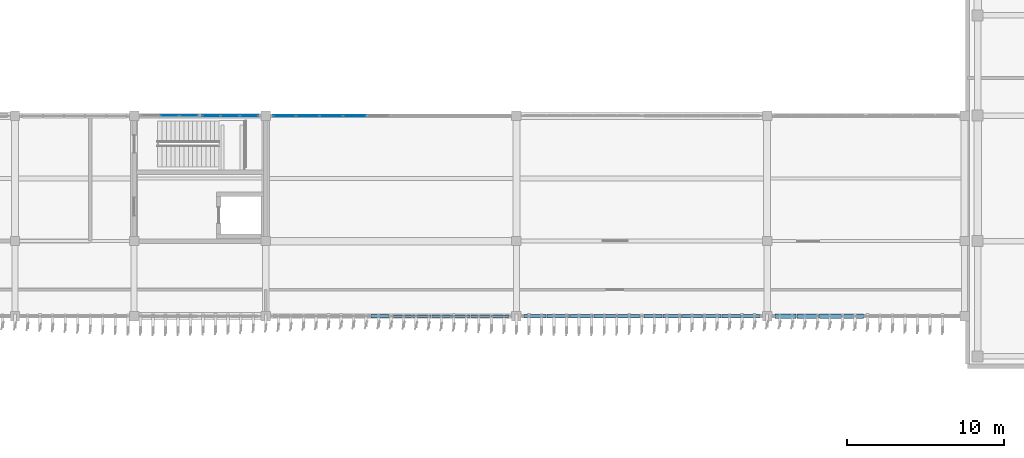
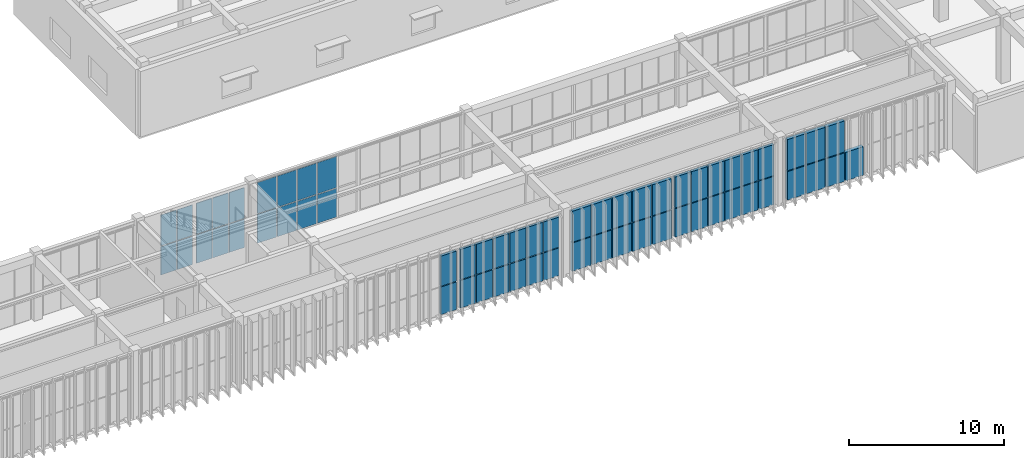
# One storey, part 31 of 64: 61 plates, 8 elements without a shape of their own.
"""IFC4 building model written with IfcOpenShell, lengths in metres."""

from ifc_helpers import new_model, si_unit, direction, frame, origin, origin_2d, place, context, subcontext, project, spatial, rectangle, extrude, material, layer, layer_set, type_object, element, aggregate, save


model = new_model("IFC4")

# Units and contexts
model_context = context("Model", 3, precision=1e-05, world=origin(), true_north=direction((0.0, 1.0)))
body_context = subcontext(model_context, "Body", "Model", "MODEL_VIEW")
ifc_project = project(units=[si_unit("LENGTHUNIT", "METRE"), si_unit("AREAUNIT", "SQUARE_METRE"), si_unit("VOLUMEUNIT", "CUBIC_METRE"), si_unit("PLANEANGLEUNIT", "RADIAN"), si_unit("MASSUNIT", "GRAM", prefix="KILO")], contexts=[model_context])

# Site, building, storey
site_placement = place(None, origin())
site = spatial("IfcSite", under=ifc_project, at=site_placement, CompositionType="ELEMENT")
building_placement = place(site_placement, origin())
building = spatial("IfcBuilding", under=site, at=building_placement, Name="Cinchona Park Media Centre", CompositionType="ELEMENT")
storey_placement = place(building_placement, frame((0.0, 0.0, 10.199951171875)))
storey = spatial("IfcBuildingStorey", under=building, at=storey_placement, Name="L02", CompositionType="ELEMENT", Elevation=10.199951171875)

# Curtain wall, plates
ifc_material_1 = material(Name="Aluminium Curtain Wall Framing", Category="aluminium")
ifc_layer_1 = layer(ifc_material_1, 0.239990234375)
ifc_layer_set_1 = layer_set([ifc_layer_1], Name="Aluminium Curtain Wall Framing")
curtain_wall_type_1 = type_object("IfcCurtainWallType", Name="CW-CW05", PredefinedType="USERDEFINED", material=ifc_layer_set_1)
curtain_wall_1_placement = place(storey_placement, origin())
curtain_wall_1 = element("IfcCurtainWall", 1, at=curtain_wall_1_placement, inside=storey, type_object=curtain_wall_type_1, Name="Curtain Wall CW05 L02", ObjectType="UNITISED CURTAIN WALL", PredefinedType="USERDEFINED")
ifc_material_2 = material(Name="Laminated Solar-Control Double Glazing", Category="glass")
ifc_layer_2 = layer(ifc_material_2, 0.030029296875)
ifc_layer_set_2 = layer_set([ifc_layer_2], Name="Laminated Solar-Control Double Glazing")
plate_type_1 = type_object("IfcPlateType", Name="CWPANEL-PNL02", PredefinedType="CURTAIN_PANEL", material=ifc_layer_set_2)
plate_1_placement = place(storey_placement, frame((88.669921875, 87.60009765625, 0.1201171875), z_axis=(0.0, 0.0, 1.0), x_axis=(1.0, 0.0, 0.0)))
plate_1 = element("IfcPlate", 2, at=plate_1_placement, type_object=plate_type_1, Name="CW05 panel 2.1", PredefinedType="CURTAIN_PANEL", context=body_context, shape_type="SweptSolid", body=[
    extrude(rectangle(XDim=1.163330078125, YDim=0.030029296875, at=origin_2d()), origin(), (0.0, 0.0, 1.0), 2.22705078125),
])
plate_2_placement = place(storey_placement, frame((88.669921875, 87.60009765625, 2.4169921875), z_axis=(0.0, 0.0, 1.0), x_axis=(1.0, 0.0, 0.0)))
plate_2 = element("IfcPlate", 3, at=plate_2_placement, type_object=plate_type_1, Name="CW05 panel 2.2", PredefinedType="CURTAIN_PANEL", context=body_context, shape_type="SweptSolid", body=[
    extrude(rectangle(XDim=1.163330078125, YDim=0.030029296875, at=origin_2d()), origin(), (0.0, 0.0, 1.0), 2.4208984375),
])
plate_3_placement = place(storey_placement, frame((89.8857421875, 87.60009765625, 0.1201171875), z_axis=(0.0, 0.0, 1.0), x_axis=(1.0, 0.0, 0.0)))
plate_3 = element("IfcPlate", 4, at=plate_3_placement, type_object=plate_type_1, Name="CW05 panel 3.1", PredefinedType="CURTAIN_PANEL", context=body_context, shape_type="SweptSolid", body=[
    extrude(rectangle(XDim=1.12841796875, YDim=0.030029296875, at=origin_2d()), origin(), (0.0, 0.0, 1.0), 2.22705078125),
])
plate_4_placement = place(storey_placement, frame((89.8857421875, 87.60009765625, 2.4169921875), z_axis=(0.0, 0.0, 1.0), x_axis=(1.0, 0.0, 0.0)))
plate_4 = element("IfcPlate", 5, at=plate_4_placement, type_object=plate_type_1, Name="CW05 panel 3.2", PredefinedType="CURTAIN_PANEL", context=body_context, shape_type="SweptSolid", body=[
    extrude(rectangle(XDim=1.12841796875, YDim=0.030029296875, at=origin_2d()), origin(), (0.0, 0.0, 1.0), 2.4208984375),
])
aggregate(curtain_wall_1, [plate_1, plate_2, plate_3, plate_4])

ifc_material_3 = material(Name="Aluminium Curtain Wall Framing", Category="aluminium")
ifc_layer_3 = layer(ifc_material_3, 0.2548828125)
ifc_layer_set_3 = layer_set([ifc_layer_3], Name="Aluminium Curtain Wall Framing")
curtain_wall_type_2 = type_object("IfcCurtainWallType", Name="CW-CW06", PredefinedType="USERDEFINED", material=ifc_layer_set_3)
curtain_wall_2_placement = place(storey_placement, origin())
curtain_wall_2 = element("IfcCurtainWall", 6, at=curtain_wall_2_placement, inside=storey, type_object=curtain_wall_type_2, Name="Curtain Wall CW06 L02", ObjectType="UNITISED CURTAIN WALL", PredefinedType="USERDEFINED")
ifc_material_4 = material(Name="Laminated Solar-Control Double Glazing", Category="glass")
ifc_layer_4 = layer(ifc_material_4, 0.050048828125)
ifc_layer_set_4 = layer_set([ifc_layer_4], Name="Laminated Solar-Control Double Glazing")
plate_type_2 = type_object("IfcPlateType", Name="CWPANEL-PNL04", PredefinedType="CURTAIN_PANEL", material=ifc_layer_set_4)
plate_5_placement = place(storey_placement, frame((91.314208984375, 87.60009765625, 0.1201171875), z_axis=(0.0, 0.0, 1.0), x_axis=(1.0, 0.0, 0.0)))
plate_5 = element("IfcPlate", 7, at=plate_5_placement, type_object=plate_type_2, Name="CW06 panel 1.1", PredefinedType="CURTAIN_PANEL", context=body_context, shape_type="SweptSolid", body=[
    extrude(rectangle(XDim=1.12841796875, YDim=0.050048828125, at=origin_2d()), origin(), (0.0, 0.0, 1.0), 2.22705078125),
])
plate_6_placement = place(storey_placement, frame((91.314208984375, 87.60009765625, 2.4169921875), z_axis=(0.0, 0.0, 1.0), x_axis=(1.0, 0.0, 0.0)))
plate_6 = element("IfcPlate", 8, at=plate_6_placement, type_object=plate_type_2, Name="CW06 panel 1.2", PredefinedType="CURTAIN_PANEL", context=body_context, shape_type="SweptSolid", body=[
    extrude(rectangle(XDim=1.12841796875, YDim=0.050048828125, at=origin_2d()), origin(), (0.0, 0.0, 1.0), 2.4208984375),
])
plate_7_placement = place(storey_placement, frame((92.530029296875, 87.60009765625, 0.1201171875), z_axis=(0.0, 0.0, 1.0), x_axis=(1.0, 0.0, 0.0)))
plate_7 = element("IfcPlate", 9, at=plate_7_placement, type_object=plate_type_2, Name="CW06 panel 2.1", PredefinedType="CURTAIN_PANEL", context=body_context, shape_type="SweptSolid", body=[
    extrude(rectangle(XDim=1.163330078125, YDim=0.050048828125, at=origin_2d()), origin(), (0.0, 0.0, 1.0), 2.22705078125),
])
plate_8_placement = place(storey_placement, frame((92.530029296875, 87.60009765625, 2.4169921875), z_axis=(0.0, 0.0, 1.0), x_axis=(1.0, 0.0, 0.0)))
plate_8 = element("IfcPlate", 10, at=plate_8_placement, type_object=plate_type_2, Name="CW06 panel 2.2", PredefinedType="CURTAIN_PANEL", context=body_context, shape_type="SweptSolid", body=[
    extrude(rectangle(XDim=1.163330078125, YDim=0.050048828125, at=origin_2d()), origin(), (0.0, 0.0, 1.0), 2.4208984375),
])
plate_9_placement = place(storey_placement, frame((93.745849609375, 87.60009765625, 0.1201171875), z_axis=(0.0, 0.0, 1.0), x_axis=(1.0, 0.0, 0.0)))
plate_9 = element("IfcPlate", 11, at=plate_9_placement, type_object=plate_type_2, Name="CW06 panel 3.1", PredefinedType="CURTAIN_PANEL", context=body_context, shape_type="SweptSolid", body=[
    extrude(rectangle(XDim=1.12841796875, YDim=0.050048828125, at=origin_2d()), origin(), (0.0, 0.0, 1.0), 2.22705078125),
])
plate_10_placement = place(storey_placement, frame((93.745849609375, 87.60009765625, 2.4169921875), z_axis=(0.0, 0.0, 1.0), x_axis=(1.0, 0.0, 0.0)))
plate_10 = element("IfcPlate", 12, at=plate_10_placement, type_object=plate_type_2, Name="CW06 panel 3.2", PredefinedType="CURTAIN_PANEL", context=body_context, shape_type="SweptSolid", body=[
    extrude(rectangle(XDim=1.12841796875, YDim=0.050048828125, at=origin_2d()), origin(), (0.0, 0.0, 1.0), 2.4208984375),
])
aggregate(curtain_wall_2, [plate_5, plate_6, plate_7, plate_8, plate_9, plate_10])

ifc_material_5 = material(Name="Aluminium Curtain Wall Framing", Category="aluminium")
ifc_layer_5 = layer(ifc_material_5, 0.27001953125)
ifc_layer_set_5 = layer_set([ifc_layer_5], Name="Aluminium Curtain Wall Framing")
curtain_wall_type_3 = type_object("IfcCurtainWallType", Name="CW-CW07", PredefinedType="USERDEFINED", material=ifc_layer_set_5)
curtain_wall_3_placement = place(storey_placement, origin())
curtain_wall_3 = element("IfcCurtainWall", 13, at=curtain_wall_3_placement, inside=storey, type_object=curtain_wall_type_3, Name="Curtain Wall CW07 L02", ObjectType="UNITISED CURTAIN WALL", PredefinedType="USERDEFINED")
ifc_material_6 = material(Name="Laminated Solar-Control Double Glazing", Category="glass")
ifc_layer_6 = layer(ifc_material_6, 0.06005859375)
ifc_layer_set_6 = layer_set([ifc_layer_6], Name="Laminated Solar-Control Double Glazing")
plate_type_3 = type_object("IfcPlateType", Name="CWPANEL-PNL05", PredefinedType="CURTAIN_PANEL", material=ifc_layer_set_6)
plate_11_placement = place(storey_placement, frame((95.986328125, 87.60009765625, 0.115234375), z_axis=(0.0, 0.0, 1.0), x_axis=(1.0, 0.0, 0.0)))
plate_11 = element("IfcPlate", 14, at=plate_11_placement, type_object=plate_type_3, Name="CW07 panel 1.1", PredefinedType="CURTAIN_PANEL", context=body_context, shape_type="SweptSolid", body=[
    extrude(rectangle(XDim=1.402587890625, YDim=0.06005859375, at=origin_2d()), origin(), (0.0, 0.0, 1.0), 2.257568359375),
])
plate_12_placement = place(storey_placement, frame((95.986328125, 87.60009765625, 2.4375), z_axis=(0.0, 0.0, 1.0), x_axis=(1.0, 0.0, 0.0)))
plate_12 = element("IfcPlate", 15, at=plate_12_placement, type_object=plate_type_3, Name="CW07 panel 1.2", PredefinedType="CURTAIN_PANEL", context=body_context, shape_type="SweptSolid", body=[
    extrude(rectangle(XDim=1.402587890625, YDim=0.06005859375, at=origin_2d()), origin(), (0.0, 0.0, 1.0), 2.45458984375),
])
plate_13_placement = place(storey_placement, frame((97.469970703125, 87.60009765625, 0.115234375), z_axis=(0.0, 0.0, 1.0), x_axis=(1.0, 0.0, 0.0)))
plate_13 = element("IfcPlate", 16, at=plate_13_placement, type_object=plate_type_3, Name="CW07 panel 2.1", PredefinedType="CURTAIN_PANEL", context=body_context, shape_type="SweptSolid", body=[
    extrude(rectangle(XDim=1.43505859375, YDim=0.06005859375, at=origin_2d()), origin(), (0.0, 0.0, 1.0), 2.257568359375),
])
plate_14_placement = place(storey_placement, frame((97.469970703125, 87.60009765625, 2.4375), z_axis=(0.0, 0.0, 1.0), x_axis=(1.0, 0.0, 0.0)))
plate_14 = element("IfcPlate", 17, at=plate_14_placement, type_object=plate_type_3, Name="CW07 panel 2.2", PredefinedType="CURTAIN_PANEL", context=body_context, shape_type="SweptSolid", body=[
    extrude(rectangle(XDim=1.43505859375, YDim=0.06005859375, at=origin_2d()), origin(), (0.0, 0.0, 1.0), 2.45458984375),
])
plate_15_placement = place(storey_placement, frame((98.969970703125, 87.60009765625, 0.115234375), z_axis=(0.0, 0.0, 1.0), x_axis=(1.0, 0.0, 0.0)))
plate_15 = element("IfcPlate", 18, at=plate_15_placement, type_object=plate_type_3, Name="CW07 panel 3.1", PredefinedType="CURTAIN_PANEL", context=body_context, shape_type="SweptSolid", body=[
    extrude(rectangle(XDim=1.43505859375, YDim=0.06005859375, at=origin_2d()), origin(), (0.0, 0.0, 1.0), 2.257568359375),
])
plate_16_placement = place(storey_placement, frame((98.969970703125, 87.60009765625, 2.4375), z_axis=(0.0, 0.0, 1.0), x_axis=(1.0, 0.0, 0.0)))
plate_16 = element("IfcPlate", 19, at=plate_16_placement, type_object=plate_type_3, Name="CW07 panel 3.2", PredefinedType="CURTAIN_PANEL", context=body_context, shape_type="SweptSolid", body=[
    extrude(rectangle(XDim=1.43505859375, YDim=0.06005859375, at=origin_2d()), origin(), (0.0, 0.0, 1.0), 2.45458984375),
])
plate_17_placement = place(storey_placement, frame((100.469970703125, 87.60009765625, 0.115234375), z_axis=(0.0, 0.0, 1.0), x_axis=(1.0, 0.0, 0.0)))
plate_17 = element("IfcPlate", 20, at=plate_17_placement, type_object=plate_type_3, Name="CW07 panel 4.1", PredefinedType="CURTAIN_PANEL", context=body_context, shape_type="SweptSolid", body=[
    extrude(rectangle(XDim=1.43505859375, YDim=0.06005859375, at=origin_2d()), origin(), (0.0, 0.0, 1.0), 2.257568359375),
])
plate_18_placement = place(storey_placement, frame((100.469970703125, 87.60009765625, 2.4375), z_axis=(0.0, 0.0, 1.0), x_axis=(1.0, 0.0, 0.0)))
plate_18 = element("IfcPlate", 21, at=plate_18_placement, type_object=plate_type_3, Name="CW07 panel 4.2", PredefinedType="CURTAIN_PANEL", context=body_context, shape_type="SweptSolid", body=[
    extrude(rectangle(XDim=1.43505859375, YDim=0.06005859375, at=origin_2d()), origin(), (0.0, 0.0, 1.0), 2.45458984375),
])
aggregate(curtain_wall_3, [plate_11, plate_12, plate_13, plate_14, plate_15, plate_16, plate_17, plate_18])

ifc_material_7 = material(Name="Aluminium Curtain Wall Framing", Category="aluminium")
ifc_layer_7 = layer(ifc_material_7, 0.195068359375)
ifc_layer_set_7 = layer_set([ifc_layer_7], Name="Aluminium Curtain Wall Framing")
curtain_wall_type_4 = type_object("IfcCurtainWallType", Name="CW-CW02", PredefinedType="USERDEFINED", material=ifc_layer_set_7)
curtain_wall_4_placement = place(storey_placement, origin())
curtain_wall_4 = element("IfcCurtainWall", 22, at=curtain_wall_4_placement, inside=storey, type_object=curtain_wall_type_4, Name="Curtain Wall CW02 L02", ObjectType="UNITISED CURTAIN WALL", PredefinedType="USERDEFINED")
ifc_material_8 = material(Name="Insulated Acoustic Aluminium-Glass Spandrel Cassette", Category="aluminium")
ifc_layer_8 = layer(ifc_material_8, 0.18994140625)
ifc_layer_set_8 = layer_set([ifc_layer_8], Name="Insulated Acoustic Aluminium-Glass Spandrel Cassette")
plate_type_4 = type_object("IfcPlateType", Name="CWPANEL-PNL18", PredefinedType="CURTAIN_PANEL", material=ifc_layer_set_8)
plate_19_placement = place(storey_placement, frame((109.737548828125, 74.800048828125, 0.1201171875), z_axis=(0.0, 0.0, 1.0), x_axis=(-1.0, 0.0, 0.0)))
plate_19 = element("IfcPlate", 23, at=plate_19_placement, type_object=plate_type_4, Name="CW02 panel 1.1", PredefinedType="CURTAIN_PANEL", context=body_context, shape_type="SweptSolid", body=[
    extrude(rectangle(XDim=1.14501953125, YDim=0.18994140625, at=origin_2d()), origin(), (0.0, 0.0, 1.0), 2.174072265625),
])
plate_20_placement = place(storey_placement, frame((109.737548828125, 74.800048828125, 2.3642578125), z_axis=(0.0, 0.0, 1.0), x_axis=(-1.0, 0.0, 0.0)))
plate_20 = element("IfcPlate", 24, at=plate_20_placement, type_object=plate_type_4, Name="CW02 panel 1.2", PredefinedType="CURTAIN_PANEL", context=body_context, shape_type="SweptSolid", body=[
    extrude(rectangle(XDim=1.14501953125, YDim=0.18994140625, at=origin_2d()), origin(), (0.0, 0.0, 1.0), 2.363037109375),
])
plate_21_placement = place(storey_placement, frame((108.5048828125, 74.800048828125, 0.1201171875), z_axis=(0.0, 0.0, 1.0), x_axis=(-1.0, 0.0, 0.0)))
plate_21 = element("IfcPlate", 25, at=plate_21_placement, type_object=plate_type_4, Name="CW02 panel 2.1", PredefinedType="CURTAIN_PANEL", context=body_context, shape_type="SweptSolid", body=[
    extrude(rectangle(XDim=1.179931640625, YDim=0.18994140625, at=origin_2d()), origin(), (0.0, 0.0, 1.0), 2.174072265625),
])
plate_22_placement = place(storey_placement, frame((108.5048828125, 74.800048828125, 2.3642578125), z_axis=(0.0, 0.0, 1.0), x_axis=(-1.0, 0.0, 0.0)))
plate_22 = element("IfcPlate", 26, at=plate_22_placement, type_object=plate_type_4, Name="CW02 panel 2.2", PredefinedType="CURTAIN_PANEL", context=body_context, shape_type="SweptSolid", body=[
    extrude(rectangle(XDim=1.179931640625, YDim=0.18994140625, at=origin_2d()), origin(), (0.0, 0.0, 1.0), 2.363037109375),
])
plate_23_placement = place(storey_placement, frame((107.2548828125, 74.800048828125, 0.1201171875), z_axis=(0.0, 0.0, 1.0), x_axis=(-1.0, 0.0, 0.0)))
plate_23 = element("IfcPlate", 27, at=plate_23_placement, type_object=plate_type_4, Name="CW02 panel 3.1", PredefinedType="CURTAIN_PANEL", context=body_context, shape_type="SweptSolid", body=[
    extrude(rectangle(XDim=1.179931640625, YDim=0.18994140625, at=origin_2d()), origin(), (0.0, 0.0, 1.0), 2.174072265625),
])
plate_24_placement = place(storey_placement, frame((107.2548828125, 74.800048828125, 2.3642578125), z_axis=(0.0, 0.0, 1.0), x_axis=(-1.0, 0.0, 0.0)))
plate_24 = element("IfcPlate", 28, at=plate_24_placement, type_object=plate_type_4, Name="CW02 panel 3.2", PredefinedType="CURTAIN_PANEL", context=body_context, shape_type="SweptSolid", body=[
    extrude(rectangle(XDim=1.179931640625, YDim=0.18994140625, at=origin_2d()), origin(), (0.0, 0.0, 1.0), 2.363037109375),
])
plate_25_placement = place(storey_placement, frame((106.0048828125, 74.800048828125, 0.1201171875), z_axis=(0.0, 0.0, 1.0), x_axis=(-1.0, 0.0, 0.0)))
plate_25 = element("IfcPlate", 29, at=plate_25_placement, type_object=plate_type_4, Name="CW02 panel 4.1", PredefinedType="CURTAIN_PANEL", context=body_context, shape_type="SweptSolid", body=[
    extrude(rectangle(XDim=1.179931640625, YDim=0.18994140625, at=origin_2d()), origin(), (0.0, 0.0, 1.0), 2.174072265625),
])
plate_26_placement = place(storey_placement, frame((106.0048828125, 74.800048828125, 2.3642578125), z_axis=(0.0, 0.0, 1.0), x_axis=(-1.0, 0.0, 0.0)))
plate_26 = element("IfcPlate", 30, at=plate_26_placement, type_object=plate_type_4, Name="CW02 panel 4.2", PredefinedType="CURTAIN_PANEL", context=body_context, shape_type="SweptSolid", body=[
    extrude(rectangle(XDim=1.179931640625, YDim=0.18994140625, at=origin_2d()), origin(), (0.0, 0.0, 1.0), 2.363037109375),
])
plate_27_placement = place(storey_placement, frame((104.7548828125, 74.800048828125, 0.1201171875), z_axis=(0.0, 0.0, 1.0), x_axis=(-1.0, 0.0, 0.0)))
plate_27 = element("IfcPlate", 31, at=plate_27_placement, type_object=plate_type_4, Name="CW02 panel 5.1", PredefinedType="CURTAIN_PANEL", context=body_context, shape_type="SweptSolid", body=[
    extrude(rectangle(XDim=1.179931640625, YDim=0.18994140625, at=origin_2d()), origin(), (0.0, 0.0, 1.0), 2.174072265625),
])
plate_28_placement = place(storey_placement, frame((104.7548828125, 74.800048828125, 2.3642578125), z_axis=(0.0, 0.0, 1.0), x_axis=(-1.0, 0.0, 0.0)))
plate_28 = element("IfcPlate", 32, at=plate_28_placement, type_object=plate_type_4, Name="CW02 panel 5.2", PredefinedType="CURTAIN_PANEL", context=body_context, shape_type="SweptSolid", body=[
    extrude(rectangle(XDim=1.179931640625, YDim=0.18994140625, at=origin_2d()), origin(), (0.0, 0.0, 1.0), 2.363037109375),
])
plate_29_placement = place(storey_placement, frame((103.5224609375, 74.800048828125, 0.1201171875), z_axis=(0.0, 0.0, 1.0), x_axis=(-1.0, 0.0, 0.0)))
plate_29 = element("IfcPlate", 33, at=plate_29_placement, type_object=plate_type_4, Name="CW02 panel 6.1", PredefinedType="CURTAIN_PANEL", context=body_context, shape_type="SweptSolid", body=[
    extrude(rectangle(XDim=1.14501953125, YDim=0.18994140625, at=origin_2d()), origin(), (0.0, 0.0, 1.0), 2.174072265625),
])
plate_30_placement = place(storey_placement, frame((103.5224609375, 74.800048828125, 2.3642578125), z_axis=(0.0, 0.0, 1.0), x_axis=(-1.0, 0.0, 0.0)))
plate_30 = element("IfcPlate", 34, at=plate_30_placement, type_object=plate_type_4, Name="CW02 panel 6.2", PredefinedType="CURTAIN_PANEL", context=body_context, shape_type="SweptSolid", body=[
    extrude(rectangle(XDim=1.14501953125, YDim=0.18994140625, at=origin_2d()), origin(), (0.0, 0.0, 1.0), 2.363037109375),
])
aggregate(curtain_wall_4, [plate_19, plate_20, plate_21, plate_22, plate_23, plate_24, plate_25, plate_26, plate_27, plate_28, plate_29, plate_30])

ifc_material_9 = material(Name="Aluminium Curtain Wall Framing", Category="aluminium")
ifc_layer_9 = layer(ifc_material_9, 0.2099609375)
ifc_layer_set_9 = layer_set([ifc_layer_9], Name="Aluminium Curtain Wall Framing")
curtain_wall_type_5 = type_object("IfcCurtainWallType", Name="CW-CW03", PredefinedType="USERDEFINED", material=ifc_layer_set_9)
curtain_wall_5_placement = place(storey_placement, origin())
curtain_wall_5 = element("IfcCurtainWall", 35, at=curtain_wall_5_placement, inside=storey, type_object=curtain_wall_type_5, Name="Curtain Wall CW03 L02", ObjectType="UNITISED CURTAIN WALL", PredefinedType="USERDEFINED")
ifc_material_10 = material(Name="Insulated Acoustic Aluminium-Glass Spandrel Cassette", Category="aluminium")
ifc_layer_10 = layer(ifc_material_10, 0.2099609375)
ifc_layer_set_10 = layer_set([ifc_layer_10], Name="Insulated Acoustic Aluminium-Glass Spandrel Cassette")
plate_type_5 = type_object("IfcPlateType", Name="CWPANEL-PNL20", PredefinedType="CURTAIN_PANEL", material=ifc_layer_set_10)
plate_31_placement = place(storey_placement, frame((102.077392578125, 74.800048828125, 0.1201171875), z_axis=(0.0, 0.0, 1.0), x_axis=(-1.0, 0.0, 0.0)))
plate_31 = element("IfcPlate", 36, at=plate_31_placement, type_object=plate_type_5, Name="CW03 panel 1.1", PredefinedType="CURTAIN_PANEL", context=body_context, shape_type="SweptSolid", body=[
    extrude(rectangle(XDim=1.14501953125, YDim=0.2099609375, at=origin_2d()), origin(), (0.0, 0.0, 1.0), 2.174072265625),
])
plate_32_placement = place(storey_placement, frame((102.077392578125, 74.800048828125, 2.3642578125), z_axis=(0.0, 0.0, 1.0), x_axis=(-1.0, 0.0, 0.0)))
plate_32 = element("IfcPlate", 37, at=plate_32_placement, type_object=plate_type_5, Name="CW03 panel 1.2", PredefinedType="CURTAIN_PANEL", context=body_context, shape_type="SweptSolid", body=[
    extrude(rectangle(XDim=1.14501953125, YDim=0.2099609375, at=origin_2d()), origin(), (0.0, 0.0, 1.0), 2.363037109375),
])
aggregate(curtain_wall_5, [plate_31, plate_32])

ifc_material_11 = material(Name="Aluminium Curtain Wall Framing", Category="aluminium")
ifc_layer_11 = layer(ifc_material_11, 0.22509765625)
ifc_layer_set_11 = layer_set([ifc_layer_11], Name="Aluminium Curtain Wall Framing")
curtain_wall_type_6 = type_object("IfcCurtainWallType", Name="CW-CW04", PredefinedType="USERDEFINED", material=ifc_layer_set_11)
curtain_wall_6_placement = place(storey_placement, origin())
curtain_wall_6 = element("IfcCurtainWall", 38, at=curtain_wall_6_placement, inside=storey, type_object=curtain_wall_type_6, Name="Curtain Wall CW04 L02", ObjectType="UNITISED CURTAIN WALL", PredefinedType="USERDEFINED")
ifc_material_12 = material(Name="Insulated Acoustic Aluminium-Glass Spandrel Cassette", Category="aluminium")
ifc_layer_12 = layer(ifc_material_12, 0.219970703125)
ifc_layer_set_12 = layer_set([ifc_layer_12], Name="Insulated Acoustic Aluminium-Glass Spandrel Cassette")
plate_type_6 = type_object("IfcPlateType", Name="CWPANEL-PNL21", PredefinedType="CURTAIN_PANEL", material=ifc_layer_set_12)
plate_33_placement = place(storey_placement, frame((125.73876953125, 74.800048828125, 0.11474609375), z_axis=(0.0, 0.0, 1.0), x_axis=(-1.0, 0.0, 0.0)))
plate_33 = element("IfcPlate", 39, at=plate_33_placement, type_object=plate_type_6, Name="CW04 panel 1.1", PredefinedType="CURTAIN_PANEL", context=body_context, shape_type="SweptSolid", body=[
    extrude(rectangle(XDim=1.152587890625, YDim=0.219970703125, at=origin_2d()), origin(), (0.0, 0.0, 1.0), 2.234619140625),
])
plate_34_placement = place(storey_placement, frame((125.73876953125, 74.800048828125, 2.41455078125), z_axis=(0.0, 0.0, 1.0), x_axis=(-1.0, 0.0, 0.0)))
plate_34 = element("IfcPlate", 40, at=plate_34_placement, type_object=plate_type_6, Name="CW04 panel 1.2", PredefinedType="CURTAIN_PANEL", context=body_context, shape_type="SweptSolid", body=[
    extrude(rectangle(XDim=1.152587890625, YDim=0.219970703125, at=origin_2d()), origin(), (0.0, 0.0, 1.0), 2.428466796875),
])
plate_35_placement = place(storey_placement, frame((124.5048828125, 74.800048828125, 0.11474609375), z_axis=(0.0, 0.0, 1.0), x_axis=(-1.0, 0.0, 0.0)))
plate_35 = element("IfcPlate", 41, at=plate_35_placement, type_object=plate_type_6, Name="CW04 panel 2.1", PredefinedType="CURTAIN_PANEL", context=body_context, shape_type="SweptSolid", body=[
    extrude(rectangle(XDim=1.18505859375, YDim=0.219970703125, at=origin_2d()), origin(), (0.0, 0.0, 1.0), 2.234619140625),
])
plate_36_placement = place(storey_placement, frame((124.5048828125, 74.800048828125, 2.41455078125), z_axis=(0.0, 0.0, 1.0), x_axis=(-1.0, 0.0, 0.0)))
plate_36 = element("IfcPlate", 42, at=plate_36_placement, type_object=plate_type_6, Name="CW04 panel 2.2", PredefinedType="CURTAIN_PANEL", context=body_context, shape_type="SweptSolid", body=[
    extrude(rectangle(XDim=1.18505859375, YDim=0.219970703125, at=origin_2d()), origin(), (0.0, 0.0, 1.0), 2.428466796875),
])
plate_37_placement = place(storey_placement, frame((123.2548828125, 74.800048828125, 0.11474609375), z_axis=(0.0, 0.0, 1.0), x_axis=(-1.0, 0.0, 0.0)))
plate_37 = element("IfcPlate", 43, at=plate_37_placement, type_object=plate_type_6, Name="CW04 panel 3.1", PredefinedType="CURTAIN_PANEL", context=body_context, shape_type="SweptSolid", body=[
    extrude(rectangle(XDim=1.18505859375, YDim=0.219970703125, at=origin_2d()), origin(), (0.0, 0.0, 1.0), 2.234619140625),
])
plate_38_placement = place(storey_placement, frame((123.2548828125, 74.800048828125, 2.41455078125), z_axis=(0.0, 0.0, 1.0), x_axis=(-1.0, 0.0, 0.0)))
plate_38 = element("IfcPlate", 44, at=plate_38_placement, type_object=plate_type_6, Name="CW04 panel 3.2", PredefinedType="CURTAIN_PANEL", context=body_context, shape_type="SweptSolid", body=[
    extrude(rectangle(XDim=1.18505859375, YDim=0.219970703125, at=origin_2d()), origin(), (0.0, 0.0, 1.0), 2.428466796875),
])
plate_39_placement = place(storey_placement, frame((122.0048828125, 74.800048828125, 0.11474609375), z_axis=(0.0, 0.0, 1.0), x_axis=(-1.0, 0.0, 0.0)))
plate_39 = element("IfcPlate", 45, at=plate_39_placement, type_object=plate_type_6, Name="CW04 panel 4.1", PredefinedType="CURTAIN_PANEL", context=body_context, shape_type="SweptSolid", body=[
    extrude(rectangle(XDim=1.18505859375, YDim=0.219970703125, at=origin_2d()), origin(), (0.0, 0.0, 1.0), 2.234619140625),
])
plate_40_placement = place(storey_placement, frame((122.0048828125, 74.800048828125, 2.41455078125), z_axis=(0.0, 0.0, 1.0), x_axis=(-1.0, 0.0, 0.0)))
plate_40 = element("IfcPlate", 46, at=plate_40_placement, type_object=plate_type_6, Name="CW04 panel 4.2", PredefinedType="CURTAIN_PANEL", context=body_context, shape_type="SweptSolid", body=[
    extrude(rectangle(XDim=1.18505859375, YDim=0.219970703125, at=origin_2d()), origin(), (0.0, 0.0, 1.0), 2.428466796875),
])
plate_41_placement = place(storey_placement, frame((120.7548828125, 74.800048828125, 0.11474609375), z_axis=(0.0, 0.0, 1.0), x_axis=(-1.0, 0.0, 0.0)))
plate_41 = element("IfcPlate", 47, at=plate_41_placement, type_object=plate_type_6, Name="CW04 panel 5.1", PredefinedType="CURTAIN_PANEL", context=body_context, shape_type="SweptSolid", body=[
    extrude(rectangle(XDim=1.18505859375, YDim=0.219970703125, at=origin_2d()), origin(), (0.0, 0.0, 1.0), 2.234619140625),
])
plate_42_placement = place(storey_placement, frame((120.7548828125, 74.800048828125, 2.41455078125), z_axis=(0.0, 0.0, 1.0), x_axis=(-1.0, 0.0, 0.0)))
plate_42 = element("IfcPlate", 48, at=plate_42_placement, type_object=plate_type_6, Name="CW04 panel 5.2", PredefinedType="CURTAIN_PANEL", context=body_context, shape_type="SweptSolid", body=[
    extrude(rectangle(XDim=1.18505859375, YDim=0.219970703125, at=origin_2d()), origin(), (0.0, 0.0, 1.0), 2.428466796875),
])
plate_43_placement = place(storey_placement, frame((119.521240234375, 74.800048828125, 0.11474609375), z_axis=(0.0, 0.0, 1.0), x_axis=(-1.0, 0.0, 0.0)))
plate_43 = element("IfcPlate", 49, at=plate_43_placement, type_object=plate_type_6, Name="CW04 panel 6.1", PredefinedType="CURTAIN_PANEL", context=body_context, shape_type="SweptSolid", body=[
    extrude(rectangle(XDim=1.152587890625, YDim=0.219970703125, at=origin_2d()), origin(), (0.0, 0.0, 1.0), 2.234619140625),
])
plate_44_placement = place(storey_placement, frame((119.521240234375, 74.800048828125, 2.41455078125), z_axis=(0.0, 0.0, 1.0), x_axis=(-1.0, 0.0, 0.0)))
plate_44 = element("IfcPlate", 50, at=plate_44_placement, type_object=plate_type_6, Name="CW04 panel 6.2", PredefinedType="CURTAIN_PANEL", context=body_context, shape_type="SweptSolid", body=[
    extrude(rectangle(XDim=1.152587890625, YDim=0.219970703125, at=origin_2d()), origin(), (0.0, 0.0, 1.0), 2.428466796875),
])
aggregate(curtain_wall_6, [plate_33, plate_34, plate_35, plate_36, plate_37, plate_38, plate_39, plate_40, plate_41, plate_42, plate_43, plate_44])

curtain_wall_7_placement = place(storey_placement, origin())
curtain_wall_7 = element("IfcCurtainWall", 51, at=curtain_wall_7_placement, inside=storey, type_object=curtain_wall_type_1, Name="Curtain Wall CW05 L02", ObjectType="UNITISED CURTAIN WALL", PredefinedType="USERDEFINED")
ifc_material_13 = material(Name="Insulated Acoustic Aluminium-Glass Spandrel Cassette", Category="aluminium")
ifc_layer_13 = layer(ifc_material_13, 0.239990234375)
ifc_layer_set_13 = layer_set([ifc_layer_13], Name="Insulated Acoustic Aluminium-Glass Spandrel Cassette")
plate_type_7 = type_object("IfcPlateType", Name="CWPANEL-PNL23", PredefinedType="CURTAIN_PANEL", material=ifc_layer_set_13)
plate_45_placement = place(storey_placement, frame((117.953857421875, 74.800048828125, 0.11474609375), z_axis=(0.0, 0.0, 1.0), x_axis=(-1.0, 0.0, 0.0)))
plate_45 = element("IfcPlate", 52, at=plate_45_placement, type_object=plate_type_7, Name="CW05 panel 1.1", PredefinedType="CURTAIN_PANEL", context=body_context, shape_type="SweptSolid", body=[
    extrude(rectangle(XDim=1.402587890625, YDim=0.239990234375, at=origin_2d()), origin(), (0.0, 0.0, 1.0), 2.234619140625),
])
plate_46_placement = place(storey_placement, frame((117.953857421875, 74.800048828125, 2.41455078125), z_axis=(0.0, 0.0, 1.0), x_axis=(-1.0, 0.0, 0.0)))
plate_46 = element("IfcPlate", 53, at=plate_46_placement, type_object=plate_type_7, Name="CW05 panel 1.2", PredefinedType="CURTAIN_PANEL", context=body_context, shape_type="SweptSolid", body=[
    extrude(rectangle(XDim=1.402587890625, YDim=0.239990234375, at=origin_2d()), origin(), (0.0, 0.0, 1.0), 2.428466796875),
])
plate_47_placement = place(storey_placement, frame((116.469970703125, 74.800048828125, 0.11474609375), z_axis=(0.0, 0.0, 1.0), x_axis=(-1.0, 0.0, 0.0)))
plate_47 = element("IfcPlate", 54, at=plate_47_placement, type_object=plate_type_7, Name="CW05 panel 2.1", PredefinedType="CURTAIN_PANEL", context=body_context, shape_type="SweptSolid", body=[
    extrude(rectangle(XDim=1.43505859375, YDim=0.239990234375, at=origin_2d()), origin(), (0.0, 0.0, 1.0), 2.234619140625),
])
plate_48_placement = place(storey_placement, frame((116.469970703125, 74.800048828125, 2.41455078125), z_axis=(0.0, 0.0, 1.0), x_axis=(-1.0, 0.0, 0.0)))
plate_48 = element("IfcPlate", 55, at=plate_48_placement, type_object=plate_type_7, Name="CW05 panel 2.2", PredefinedType="CURTAIN_PANEL", context=body_context, shape_type="SweptSolid", body=[
    extrude(rectangle(XDim=1.43505859375, YDim=0.239990234375, at=origin_2d()), origin(), (0.0, 0.0, 1.0), 2.428466796875),
])
plate_49_placement = place(storey_placement, frame((114.969970703125, 74.800048828125, 0.11474609375), z_axis=(0.0, 0.0, 1.0), x_axis=(-1.0, 0.0, 0.0)))
plate_49 = element("IfcPlate", 56, at=plate_49_placement, type_object=plate_type_7, Name="CW05 panel 3.1", PredefinedType="CURTAIN_PANEL", context=body_context, shape_type="SweptSolid", body=[
    extrude(rectangle(XDim=1.43505859375, YDim=0.239990234375, at=origin_2d()), origin(), (0.0, 0.0, 1.0), 2.234619140625),
])
plate_50_placement = place(storey_placement, frame((114.969970703125, 74.800048828125, 2.41455078125), z_axis=(0.0, 0.0, 1.0), x_axis=(-1.0, 0.0, 0.0)))
plate_50 = element("IfcPlate", 57, at=plate_50_placement, type_object=plate_type_7, Name="CW05 panel 3.2", PredefinedType="CURTAIN_PANEL", context=body_context, shape_type="SweptSolid", body=[
    extrude(rectangle(XDim=1.43505859375, YDim=0.239990234375, at=origin_2d()), origin(), (0.0, 0.0, 1.0), 2.428466796875),
])
plate_51_placement = place(storey_placement, frame((113.469970703125, 74.800048828125, 0.11474609375), z_axis=(0.0, 0.0, 1.0), x_axis=(-1.0, 0.0, 0.0)))
plate_51 = element("IfcPlate", 58, at=plate_51_placement, type_object=plate_type_7, Name="CW05 panel 4.1", PredefinedType="CURTAIN_PANEL", context=body_context, shape_type="SweptSolid", body=[
    extrude(rectangle(XDim=1.43505859375, YDim=0.239990234375, at=origin_2d()), origin(), (0.0, 0.0, 1.0), 2.234619140625),
])
plate_52_placement = place(storey_placement, frame((113.469970703125, 74.800048828125, 2.41455078125), z_axis=(0.0, 0.0, 1.0), x_axis=(-1.0, 0.0, 0.0)))
plate_52 = element("IfcPlate", 59, at=plate_52_placement, type_object=plate_type_7, Name="CW05 panel 4.2", PredefinedType="CURTAIN_PANEL", context=body_context, shape_type="SweptSolid", body=[
    extrude(rectangle(XDim=1.43505859375, YDim=0.239990234375, at=origin_2d()), origin(), (0.0, 0.0, 1.0), 2.428466796875),
])
plate_53_placement = place(storey_placement, frame((111.986328125, 74.800048828125, 0.11474609375), z_axis=(0.0, 0.0, 1.0), x_axis=(-1.0, 0.0, 0.0)))
plate_53 = element("IfcPlate", 60, at=plate_53_placement, type_object=plate_type_7, Name="CW05 panel 5.1", PredefinedType="CURTAIN_PANEL", context=body_context, shape_type="SweptSolid", body=[
    extrude(rectangle(XDim=1.402587890625, YDim=0.239990234375, at=origin_2d()), origin(), (0.0, 0.0, 1.0), 2.234619140625),
])
plate_54_placement = place(storey_placement, frame((111.986328125, 74.800048828125, 2.41455078125), z_axis=(0.0, 0.0, 1.0), x_axis=(-1.0, 0.0, 0.0)))
plate_54 = element("IfcPlate", 61, at=plate_54_placement, type_object=plate_type_7, Name="CW05 panel 5.2", PredefinedType="CURTAIN_PANEL", context=body_context, shape_type="SweptSolid", body=[
    extrude(rectangle(XDim=1.402587890625, YDim=0.239990234375, at=origin_2d()), origin(), (0.0, 0.0, 1.0), 2.428466796875),
])
aggregate(curtain_wall_7, [plate_45, plate_46, plate_47, plate_48, plate_49, plate_50, plate_51, plate_52, plate_53, plate_54])

curtain_wall_8_placement = place(storey_placement, origin())
curtain_wall_8 = element("IfcCurtainWall", 62, at=curtain_wall_8_placement, inside=storey, type_object=curtain_wall_type_3, Name="Curtain Wall CW07 L02", ObjectType="UNITISED CURTAIN WALL", PredefinedType="USERDEFINED")
ifc_material_14 = material(Name="Insulated Acoustic Aluminium-Glass Spandrel Cassette", Category="aluminium")
ifc_layer_14 = layer(ifc_material_14, 0.27001953125)
ifc_layer_set_14 = layer_set([ifc_layer_14], Name="Insulated Acoustic Aluminium-Glass Spandrel Cassette")
plate_type_8 = type_object("IfcPlateType", Name="CWPANEL-PNL26", PredefinedType="CURTAIN_PANEL", material=ifc_layer_set_14)
plate_55_placement = place(storey_placement, frame((132.2763671875, 74.800048828125, 0.125), z_axis=(0.0, 0.0, 1.0), x_axis=(-1.0, 0.0, 0.0)))
plate_55 = element("IfcPlate", 63, at=plate_55_placement, type_object=plate_type_8, Name="CW07 panel 1.1", PredefinedType="CURTAIN_PANEL", context=body_context, shape_type="SweptSolid", body=[
    extrude(rectangle(XDim=1.33740234375, YDim=0.27001953125, at=origin_2d()), origin(), (0.0, 0.0, 1.0), 2.242431640625),
])
plate_56_placement = place(storey_placement, frame((130.844970703125, 74.800048828125, 0.125), z_axis=(0.0, 0.0, 1.0), x_axis=(-1.0, 0.0, 0.0)))
plate_56 = element("IfcPlate", 64, at=plate_56_placement, type_object=plate_type_8, Name="CW07 panel 2.1", PredefinedType="CURTAIN_PANEL", context=body_context, shape_type="SweptSolid", body=[
    extrude(rectangle(XDim=1.375, YDim=0.27001953125, at=origin_2d()), origin(), (0.0, 0.0, 1.0), 2.242431640625),
])
plate_57_placement = place(storey_placement, frame((130.844970703125, 74.800048828125, 2.442626953125), z_axis=(0.0, 0.0, 1.0), x_axis=(-1.0, 0.0, 0.0)))
plate_57 = element("IfcPlate", 65, at=plate_57_placement, type_object=plate_type_8, Name="CW07 panel 2.2", PredefinedType="CURTAIN_PANEL", context=body_context, shape_type="SweptSolid", body=[
    extrude(rectangle(XDim=1.375, YDim=0.27001953125, at=origin_2d()), origin(), (0.0, 0.0, 1.0), 2.439453125),
])
plate_58_placement = place(storey_placement, frame((129.39501953125, 74.800048828125, 0.125), z_axis=(0.0, 0.0, 1.0), x_axis=(-1.0, 0.0, 0.0)))
plate_58 = element("IfcPlate", 66, at=plate_58_placement, type_object=plate_type_8, Name="CW07 panel 3.1", PredefinedType="CURTAIN_PANEL", context=body_context, shape_type="SweptSolid", body=[
    extrude(rectangle(XDim=1.375, YDim=0.27001953125, at=origin_2d()), origin(), (0.0, 0.0, 1.0), 2.242431640625),
])
plate_59_placement = place(storey_placement, frame((129.39501953125, 74.800048828125, 2.442626953125), z_axis=(0.0, 0.0, 1.0), x_axis=(-1.0, 0.0, 0.0)))
plate_59 = element("IfcPlate", 67, at=plate_59_placement, type_object=plate_type_8, Name="CW07 panel 3.2", PredefinedType="CURTAIN_PANEL", context=body_context, shape_type="SweptSolid", body=[
    extrude(rectangle(XDim=1.375, YDim=0.27001953125, at=origin_2d()), origin(), (0.0, 0.0, 1.0), 2.439453125),
])
plate_60_placement = place(storey_placement, frame((127.9638671875, 74.800048828125, 0.125), z_axis=(0.0, 0.0, 1.0), x_axis=(-1.0, 0.0, 0.0)))
plate_60 = element("IfcPlate", 68, at=plate_60_placement, type_object=plate_type_8, Name="CW07 panel 4.1", PredefinedType="CURTAIN_PANEL", context=body_context, shape_type="SweptSolid", body=[
    extrude(rectangle(XDim=1.33740234375, YDim=0.27001953125, at=origin_2d()), origin(), (0.0, 0.0, 1.0), 2.242431640625),
])
plate_61_placement = place(storey_placement, frame((127.9638671875, 74.800048828125, 2.442626953125), z_axis=(0.0, 0.0, 1.0), x_axis=(-1.0, 0.0, 0.0)))
plate_61 = element("IfcPlate", 69, at=plate_61_placement, type_object=plate_type_8, Name="CW07 panel 4.2", PredefinedType="CURTAIN_PANEL", context=body_context, shape_type="SweptSolid", body=[
    extrude(rectangle(XDim=1.33740234375, YDim=0.27001953125, at=origin_2d()), origin(), (0.0, 0.0, 1.0), 2.439453125),
])
aggregate(curtain_wall_8, [plate_55, plate_56, plate_57, plate_58, plate_59, plate_60, plate_61])

save(model, "model.ifc")
